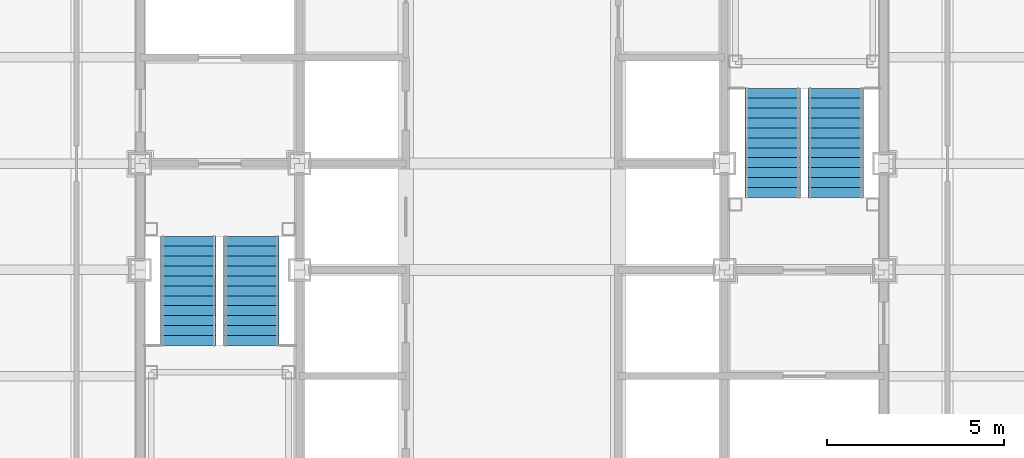
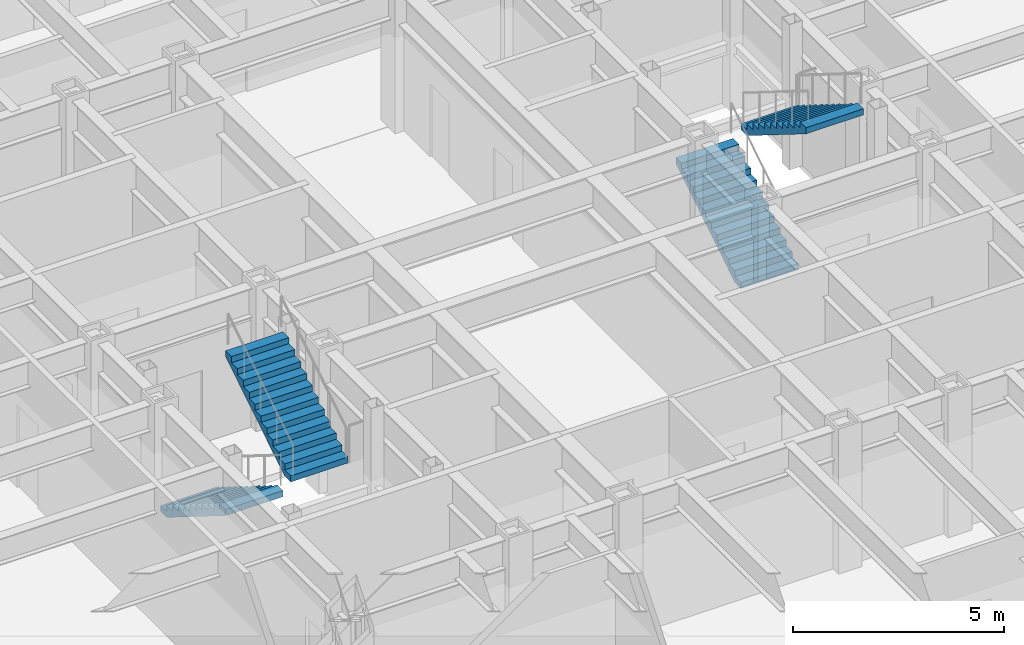
# One storey, part 13 of 17: 4 stair flights, 2 elements without a shape of their own.
"""IFC4 building model written with IfcOpenShell, lengths in metres."""

import ifcopenshell
import ifcopenshell.guid

model = None  # the IFC model being written
_history = None  # IfcOwnerHistory: only IFC2X3 demands one
_inside = {}  # id of a spatial element -> (the spatial element, [elements in it])
_under = {}  # id of a project, library or spatial element -> (it, [spatial elements below it])
_declared = {}  # id of a project -> (the project, [libraries it declares])
_typed = {}  # id of a type object -> (the type object, [elements of that type])
_made_of = {}  # id of a material, layer set ... -> (it, [elements and type objects made of it])


def new_model(schema):
    """Start an empty IFC model of exactly this schema.

    Asked for "IFC4X3", IfcOpenShell would pick the latest addendum, in which some entities
    have other attributes; the version numbers below select the first issue.
    IFC2X3 requires an IfcOwnerHistory on every rooted entity: one is made here for all.
    """
    global model, _history
    if schema == "IFC4X3":
        model = ifcopenshell.file(schema_version=(4, 3, 0, 0))
    else:
        model = ifcopenshell.file(schema=schema)
    _inside.clear()
    _under.clear()
    _declared.clear()
    _typed.clear()
    _made_of.clear()
    _history = None
    if model.schema == "IFC2X3":
        org = make("IfcOrganization", Name="unknown")
        user = make(
            "IfcPersonAndOrganization",
            ThePerson=make("IfcPerson", FamilyName="unknown"),
            TheOrganization=org,
        )
        app = make(
            "IfcApplication",
            ApplicationDeveloper=org,
            Version="unknown",
            ApplicationFullName="unknown",
            ApplicationIdentifier="unknown",
        )
        _history = make(
            "IfcOwnerHistory",
            OwningUser=user,
            OwningApplication=app,
            ChangeAction="ADDED",
            CreationDate=0,
        )
    return model


def make(cls, **values):
    """One entity of the class cls with the attributes given. An attribute that is None is left unset."""
    return model.create_entity(
        cls, **{name: value for name, value in values.items() if value is not None}
    )


def rooted(cls, **values):
    """An entity with a GlobalId (a new one), such as an element, a storey or a relation."""
    return make(cls, GlobalId=ifcopenshell.guid.new(), OwnerHistory=_history, **values)


def si_unit(unit_type, name, prefix=None):
    """IfcSIUnit, for example si_unit("LENGTHUNIT", "METRE", prefix="MILLI")."""
    return make("IfcSIUnit", UnitType=unit_type, Prefix=prefix, Name=name)


def assignment(units):
    """IfcUnitAssignment: the units of a project."""
    return None if units is None else make("IfcUnitAssignment", Units=units)


def point(xyz):
    """IfcCartesianPoint."""
    return None if xyz is None else make("IfcCartesianPoint", Coordinates=xyz)


def direction(xyz):
    """IfcDirection."""
    return None if xyz is None else make("IfcDirection", DirectionRatios=xyz)


def frame(location, z_axis=None, x_axis=None):
    """IfcAxis2Placement3D, a coordinate frame: its origin and axes. An axis left out is left unset."""
    return make(
        "IfcAxis2Placement3D",
        Location=point(location),
        Axis=direction(z_axis),
        RefDirection=direction(x_axis),
    )


def origin():
    """The frame at (0, 0, 0) with its axes left unset."""
    return frame((0.0, 0.0, 0.0))


def place(relative_to, where):
    """IfcLocalPlacement: puts the frame where relative to a parent placement (None: the world)."""
    return make(
        "IfcLocalPlacement", PlacementRelTo=relative_to, RelativePlacement=where
    )


def context(
    kind, dimensions, precision=None, world=None, true_north=None, identifier=None
):
    """IfcGeometricRepresentationContext, for example the 3D "Model" context."""
    return make(
        "IfcGeometricRepresentationContext",
        ContextIdentifier=identifier,
        ContextType=kind,
        CoordinateSpaceDimension=dimensions,
        Precision=precision,
        WorldCoordinateSystem=world,
        TrueNorth=true_north,
    )


def subcontext(parent, identifier, kind, view, scale=None):
    """IfcGeometricRepresentationSubContext, for example "Body" below "Model"."""
    return make(
        "IfcGeometricRepresentationSubContext",
        ContextIdentifier=identifier,
        ContextType=kind,
        ParentContext=parent,
        TargetScale=scale,
        TargetView=view,
    )


def project(units=None, contexts=None):
    """IfcProject with its units and contexts."""
    return rooted(
        "IfcProject",
        Name="project",
        RepresentationContexts=contexts,
        UnitsInContext=assignment(units),
    )


def spatial(cls, under=None, at=None, **own):
    """A site, building, storey or space (cls), placed at a placement, below another one or the project."""
    s = rooted(cls, ObjectPlacement=at, **own)
    if under is not None:
        _under.setdefault(under.id(), (under, []))[1].append(s)
    return s


def faces_of(points, faces, orient=None, outer=None):
    """IfcFace entities. A face is a list of loops; a loop is a list of indices into points, from 0.

    orient and outer hold one flag for each loop. By default every Orientation is true, the
    first loop of a face is its IfcFaceOuterBound and the others are IfcFaceBound.
    """
    made = []
    for i, loops in enumerate(faces):
        bounds = []
        for j, loop in enumerate(loops):
            is_outer = j == 0 if outer is None else outer[i][j]
            bounds.append(
                make(
                    "IfcFaceOuterBound" if is_outer else "IfcFaceBound",
                    Bound=make("IfcPolyLoop", Polygon=[points[k] for k in loop]),
                    Orientation=True if orient is None else orient[i][j],
                )
            )
        made.append(make("IfcFace", Bounds=bounds))
    return made


def faceted_brep(points, faces, orient=None, outer=None, voids=None):
    """IfcFacetedBrep: a solid bounded by flat faces; with voids (closed shells), ...WithVoids."""
    shared = [point(p) for p in points]
    hull = make("IfcClosedShell", CfsFaces=faces_of(shared, faces, orient, outer))
    if voids is None:
        return make("IfcFacetedBrep", Outer=hull)
    return make(
        "IfcFacetedBrepWithVoids",
        Outer=hull,
        Voids=[
            make(cls, CfsFaces=faces_of(shared, fs, o, b)) for cls, fs, o, b in voids
        ],
    )


def shape(context_of_items, identifier, shape_type, items):
    """IfcShapeRepresentation: the items that make up one representation, for example the "Body"."""
    return make(
        "IfcShapeRepresentation",
        ContextOfItems=context_of_items,
        RepresentationIdentifier=identifier,
        RepresentationType=shape_type,
        Items=items,
    )


def material(Name=None, Category=None):
    """IfcMaterial."""
    return make("IfcMaterial", Name=Name, Category=Category)


def made_of(thing, what):
    """Note that an element or type object is made of a material, layer set ...; save() writes the relation."""
    if what is not None:
        _made_of.setdefault(what.id(), (what, []))[1].append(thing)
    return thing


def type_object(cls, material=None, **own):
    """A type object (cls), such as IfcWallType, which elements share."""
    return made_of(rooted(cls, **own), material)


def element(
    cls,
    number,
    at=None,
    inside=None,
    cuts=None,
    type_object=None,
    material=None,
    context=None,
    identifier="Body",
    shape_type=None,
    held_by="IfcProductDefinitionShape",
    body=None,
    shapes=None,
    **own,
):
    """One element of the class cls, such as IfcWall. Its Tag is "e" and its number.

    at: its placement. inside: the storey or other place that contains it. cuts: it is an
    opening in that element (IfcRelVoidsElement). A single representation is given by context,
    identifier, shape_type and body (its items); several are given by shapes. held_by: the class
    of the entity that holds the representations. save() writes the other relations.
    """
    e = rooted(cls, Tag="e%d" % number, ObjectPlacement=at, **own)
    if body is not None:
        shapes = [shape(context, identifier, shape_type, body)]
    if shapes is not None:
        e.Representation = make(held_by, Representations=shapes)
    if inside is not None:
        _inside.setdefault(inside.id(), (inside, []))[1].append(e)
    if cuts is not None:
        rooted(
            "IfcRelVoidsElement", RelatingBuildingElement=cuts, RelatedOpeningElement=e
        )
    if type_object is not None:
        _typed.setdefault(type_object.id(), (type_object, []))[1].append(e)
    return made_of(e, material)


def aggregate(whole, parts):
    """IfcRelAggregates: a whole, such as a stair, and the parts it consists of."""
    return rooted("IfcRelAggregates", RelatingObject=whole, RelatedObjects=parts)


def save(model, path):
    """Write the relations noted so far, then the file.

    IfcRelAggregates (storeys below a building ...), IfcRelContainedInSpatialStructure (elements
    in a storey), IfcRelDefinesByType, IfcRelAssociatesMaterial and IfcRelDeclares: one each for
    every whole, place, type object, material and project.
    """
    for whole, parts in _under.values():
        aggregate(whole, parts)
    for where, things in _inside.values():
        rooted(
            "IfcRelContainedInSpatialStructure",
            RelatedElements=things,
            RelatingStructure=where,
        )
    for kind, things in _typed.values():
        rooted("IfcRelDefinesByType", RelatedObjects=things, RelatingType=kind)
    for what, things in _made_of.values():
        rooted("IfcRelAssociatesMaterial", RelatedObjects=things, RelatingMaterial=what)
    for by, libraries in _declared.values():
        rooted("IfcRelDeclares", RelatingContext=by, RelatedDefinitions=libraries)
    model.write(path)


model = new_model("IFC4")

# Units and contexts
model_context = context("Model", 3, precision=1e-05, world=origin(), true_north=direction((0.0, 1.0)))
body_context = subcontext(model_context, "Body", "Model", "MODEL_VIEW")
ifc_project = project(units=[si_unit("LENGTHUNIT", "METRE"), si_unit("AREAUNIT", "SQUARE_METRE"), si_unit("VOLUMEUNIT", "CUBIC_METRE"), si_unit("PLANEANGLEUNIT", "RADIAN"), si_unit("MASSUNIT", "GRAM", prefix="KILO")], contexts=[model_context])

# Site, building, storey
site_placement = place(None, origin())
site = spatial("IfcSite", under=ifc_project, at=site_placement, CompositionType="ELEMENT")
building_placement = place(site_placement, origin())
building = spatial("IfcBuilding", under=site, at=building_placement, Name="Chuquiago Exchange Tower", CompositionType="ELEMENT")
storey_placement = place(building_placement, frame((0.0, 0.0, 169.800048828125)))
storey = spatial("IfcBuildingStorey", under=building, at=storey_placement, Name="L37", CompositionType="ELEMENT", Elevation=169.800048828125)

# Stair, stair flights
ifc_material_1 = material(Name="Concrete C30/37, precast", Category="concrete")
stair_type_1 = type_object("IfcStairType", Name="ST1 half-turn stair 4200", PredefinedType="HALF_TURN_STAIR", material=ifc_material_1)
stair_1_placement = place(storey_placement, origin())
stair_1 = element("IfcStair", 1, at=stair_1_placement, inside=storey, type_object=stair_type_1, Name="Stair ST1 L37", PredefinedType="HALF_TURN_STAIR")
ifc_material_2 = material(Name="Concrete C30/37, precast", Category="concrete")
stair_flight_type = type_object("IfcStairFlightType", Name="ST-F flight 1570 for 4200 storey", PredefinedType="STRAIGHT", material=ifc_material_2)
stair_flight_1_placement = place(storey_placement, frame((13.360107421875, 21.949951171875, 0.0), z_axis=(0.0, 0.0, 1.0), x_axis=(0.0, -1.0, 0.0)))
stair_flight_1 = element("IfcStairFlight", 2, at=stair_flight_1_placement, type_object=stair_flight_type, Name="ST1 flight 1", NumberOfRisers=12, NumberOfTreads=11, PredefinedType="STRAIGHT", RiserHeight=0.175, TreadLength=0.28, context=body_context, shape_type="Brep", body=[
    faceted_brep([(0.0, 0.78515625, 0.0), (0.0, 0.78515625, 0.175048828125), (0.280029296875, 0.78515625, 0.175048828125), (0.280029296875, 0.78515625, 0.35009765625), (0.56005859375, 0.78515625, 0.35009765625), (0.56005859375, 0.78515625, 0.52490234375), (0.840087890625, 0.78515625, 0.52490234375), (0.840087890625, 0.78515625, 0.699951171875), (1.1201171875, 0.78515625, 0.699951171875), (1.1201171875, 0.78515625, 0.875), (1.39990234375, 0.78515625, 0.875), (1.39990234375, 0.78515625, 1.050048828125), (1.679931640625, 0.78515625, 1.050048828125), (1.679931640625, 0.78515625, 1.22509765625), (1.9599609375, 0.78515625, 1.22509765625), (1.9599609375, 0.78515625, 1.39990234375), (2.239990234375, 0.78515625, 1.39990234375), (2.239990234375, 0.78515625, 1.574951171875), (2.52001953125, 0.78515625, 1.574951171875), (2.52001953125, 0.78515625, 1.75), (2.800048828125, 0.78515625, 1.75), (2.800048828125, 0.78515625, 1.925048828125), (3.080078125, 0.78515625, 1.925048828125), (3.080078125, 0.78515625, 1.748291015625), (0.28271484375, 0.78515625, 0.0), (0.28271484375, -0.78515625, 0.0), (3.080078125, -0.78515625, 1.748291015625), (3.080078125, -0.78515625, 1.925048828125), (2.800048828125, -0.78515625, 1.925048828125), (2.800048828125, -0.78515625, 1.75), (2.52001953125, -0.78515625, 1.75), (2.52001953125, -0.78515625, 1.574951171875), (2.239990234375, -0.78515625, 1.574951171875), (2.239990234375, -0.78515625, 1.39990234375), (1.9599609375, -0.78515625, 1.39990234375), (1.9599609375, -0.78515625, 1.22509765625), (1.679931640625, -0.78515625, 1.22509765625), (1.679931640625, -0.78515625, 1.050048828125), (1.39990234375, -0.78515625, 1.050048828125), (1.39990234375, -0.78515625, 0.875), (1.1201171875, -0.78515625, 0.875), (1.1201171875, -0.78515625, 0.699951171875), (0.840087890625, -0.78515625, 0.699951171875), (0.840087890625, -0.78515625, 0.52490234375), (0.56005859375, -0.78515625, 0.52490234375), (0.56005859375, -0.78515625, 0.35009765625), (0.280029296875, -0.78515625, 0.35009765625), (0.280029296875, -0.78515625, 0.175048828125), (0.0, -0.78515625, 0.175048828125), (0.0, -0.78515625, 0.0), (0.0, 0.392578125, 0.0), (0.0, 0.392578125, 0.175048828125), (0.0, 0.0, 0.0), (0.0, 0.0, 0.175048828125), (0.0, -0.392578125, 0.0), (0.0, -0.392578125, 0.175048828125), (0.280029296875, 0.392578125, 0.175048828125), (0.280029296875, 0.0, 0.175048828125), (0.280029296875, -0.392578125, 0.175048828125), (0.280029296875, 0.392578125, 0.35009765625), (0.280029296875, 0.0, 0.35009765625), (0.280029296875, -0.392578125, 0.35009765625), (0.56005859375, 0.392578125, 0.35009765625), (0.56005859375, 0.0, 0.35009765625), (0.56005859375, -0.392578125, 0.35009765625), (0.56005859375, 0.392578125, 0.52490234375), (0.56005859375, 0.0, 0.52490234375), (0.56005859375, -0.392578125, 0.52490234375), (0.840087890625, 0.392578125, 0.52490234375), (0.840087890625, 0.0, 0.52490234375), (0.840087890625, -0.392578125, 0.52490234375), (0.840087890625, 0.392578125, 0.699951171875), (0.840087890625, 0.0, 0.699951171875), (0.840087890625, -0.392578125, 0.699951171875), (1.1201171875, 0.392578125, 0.699951171875), (1.1201171875, 0.0, 0.699951171875), (1.1201171875, -0.392578125, 0.699951171875), (1.1201171875, 0.392578125, 0.875), (1.1201171875, 0.0, 0.875), (1.1201171875, -0.392578125, 0.875), (1.39990234375, 0.392578125, 0.875), (1.39990234375, 0.0, 0.875), (1.39990234375, -0.392578125, 0.875), (1.39990234375, 0.392578125, 1.050048828125), (1.39990234375, 0.0, 1.050048828125), (1.39990234375, -0.392578125, 1.050048828125), (1.679931640625, 0.392578125, 1.050048828125), (1.679931640625, 0.0, 1.050048828125), (1.679931640625, -0.392578125, 1.050048828125), (1.679931640625, 0.392578125, 1.22509765625), (1.679931640625, 0.0, 1.22509765625), (1.679931640625, -0.392578125, 1.22509765625), (1.9599609375, 0.392578125, 1.22509765625), (1.9599609375, 0.0, 1.22509765625), (1.9599609375, -0.392578125, 1.22509765625), (1.9599609375, 0.392578125, 1.39990234375), (1.9599609375, 0.0, 1.39990234375), (1.9599609375, -0.392578125, 1.39990234375), (2.239990234375, 0.392578125, 1.39990234375), (2.239990234375, 0.0, 1.39990234375), (2.239990234375, -0.392578125, 1.39990234375), (2.239990234375, 0.392578125, 1.574951171875), (2.239990234375, 0.0, 1.574951171875), (2.239990234375, -0.392578125, 1.574951171875), (2.52001953125, 0.392578125, 1.574951171875), (2.52001953125, 0.0, 1.574951171875), (2.52001953125, -0.392578125, 1.574951171875), (2.52001953125, 0.392578125, 1.75), (2.52001953125, 0.0, 1.75), (2.52001953125, -0.392578125, 1.75), (2.800048828125, 0.392578125, 1.75), (2.800048828125, 0.0, 1.75), (2.800048828125, -0.392578125, 1.75), (2.800048828125, 0.392578125, 1.925048828125), (2.800048828125, 0.0, 1.925048828125), (2.800048828125, -0.392578125, 1.925048828125), (3.080078125, 0.392578125, 1.925048828125), (3.080078125, 0.0, 1.925048828125), (3.080078125, -0.392578125, 1.925048828125), (3.080078125, 0.392578125, 1.748291015625), (3.080078125, 0.0, 1.748291015625), (3.080078125, -0.392578125, 1.748291015625), (0.28271484375, 0.392578125, 0.0), (0.28271484375, 0.0, 0.0), (0.28271484375, -0.392578125, 0.0)], [[[0, 1, 2, 3, 4, 5, 6, 7, 8, 9, 10, 11, 12, 13, 14, 15, 16, 17, 18, 19, 20, 21, 22, 23, 24]], [[25, 26, 27, 28, 29, 30, 31, 32, 33, 34, 35, 36, 37, 38, 39, 40, 41, 42, 43, 44, 45, 46, 47, 48, 49]], [[1, 0, 50, 51]], [[51, 50, 52, 53]], [[53, 52, 54, 55]], [[55, 54, 49, 48]], [[2, 1, 51, 56]], [[56, 51, 53, 57]], [[57, 53, 55, 58]], [[58, 55, 48, 47]], [[3, 2, 56, 59]], [[59, 56, 57, 60]], [[60, 57, 58, 61]], [[61, 58, 47, 46]], [[4, 3, 59, 62]], [[62, 59, 60, 63]], [[63, 60, 61, 64]], [[64, 61, 46, 45]], [[5, 4, 62, 65]], [[65, 62, 63, 66]], [[66, 63, 64, 67]], [[67, 64, 45, 44]], [[6, 5, 65, 68]], [[68, 65, 66, 69]], [[69, 66, 67, 70]], [[70, 67, 44, 43]], [[7, 6, 68, 71]], [[71, 68, 69, 72]], [[72, 69, 70, 73]], [[73, 70, 43, 42]], [[8, 7, 71, 74]], [[74, 71, 72, 75]], [[75, 72, 73, 76]], [[76, 73, 42, 41]], [[9, 8, 74, 77]], [[77, 74, 75, 78]], [[78, 75, 76, 79]], [[79, 76, 41, 40]], [[10, 9, 77, 80]], [[80, 77, 78, 81]], [[81, 78, 79, 82]], [[82, 79, 40, 39]], [[11, 10, 80, 83]], [[83, 80, 81, 84]], [[84, 81, 82, 85]], [[85, 82, 39, 38]], [[12, 11, 83, 86]], [[86, 83, 84, 87]], [[87, 84, 85, 88]], [[88, 85, 38, 37]], [[13, 12, 86, 89]], [[89, 86, 87, 90]], [[90, 87, 88, 91]], [[91, 88, 37, 36]], [[14, 13, 89, 92]], [[92, 89, 90, 93]], [[93, 90, 91, 94]], [[94, 91, 36, 35]], [[15, 14, 92, 95]], [[95, 92, 93, 96]], [[96, 93, 94, 97]], [[97, 94, 35, 34]], [[16, 15, 95, 98]], [[98, 95, 96, 99]], [[99, 96, 97, 100]], [[100, 97, 34, 33]], [[17, 16, 98, 101]], [[101, 98, 99, 102]], [[102, 99, 100, 103]], [[103, 100, 33, 32]], [[18, 17, 101, 104]], [[104, 101, 102, 105]], [[105, 102, 103, 106]], [[106, 103, 32, 31]], [[19, 18, 104, 107]], [[107, 104, 105, 108]], [[108, 105, 106, 109]], [[109, 106, 31, 30]], [[20, 19, 107, 110]], [[110, 107, 108, 111]], [[111, 108, 109, 112]], [[112, 109, 30, 29]], [[21, 20, 110, 113]], [[113, 110, 111, 114]], [[114, 111, 112, 115]], [[115, 112, 29, 28]], [[22, 21, 113, 116]], [[116, 113, 114, 117]], [[117, 114, 115, 118]], [[118, 115, 28, 27]], [[23, 22, 116, 119]], [[119, 116, 117, 120]], [[120, 117, 118, 121]], [[121, 118, 27, 26]], [[24, 23, 119, 122]], [[122, 119, 120, 123]], [[123, 120, 121, 124]], [[124, 121, 26, 25]], [[0, 24, 122, 50]], [[50, 122, 123, 52]], [[52, 123, 124, 54]], [[54, 124, 25, 49]]]),
])
stair_flight_2_placement = place(storey_placement, frame((15.139892578125, 18.8701171875, 2.099853515625), z_axis=(0.0, 0.0, 1.0), x_axis=(0.0, 1.0, 0.0)))
stair_flight_2 = element("IfcStairFlight", 3, at=stair_flight_2_placement, type_object=stair_flight_type, Name="ST1 flight 2", NumberOfRisers=12, NumberOfTreads=11, PredefinedType="STRAIGHT", RiserHeight=0.175, TreadLength=0.28, context=body_context, shape_type="Brep", body=[
    faceted_brep([(0.0, 0.78515625, 0.0), (0.0, 0.78515625, 0.175048828125), (0.280029296875, 0.78515625, 0.175048828125), (0.280029296875, 0.78515625, 0.35009765625), (0.56005859375, 0.78515625, 0.35009765625), (0.56005859375, 0.78515625, 0.52490234375), (0.840087890625, 0.78515625, 0.52490234375), (0.840087890625, 0.78515625, 0.699951171875), (1.1201171875, 0.78515625, 0.699951171875), (1.1201171875, 0.78515625, 0.875), (1.39990234375, 0.78515625, 0.875), (1.39990234375, 0.78515625, 1.050048828125), (1.679931640625, 0.78515625, 1.050048828125), (1.679931640625, 0.78515625, 1.22509765625), (1.9599609375, 0.78515625, 1.22509765625), (1.9599609375, 0.78515625, 1.39990234375), (2.239990234375, 0.78515625, 1.39990234375), (2.239990234375, 0.78515625, 1.574951171875), (2.52001953125, 0.78515625, 1.574951171875), (2.52001953125, 0.78515625, 1.75), (2.800048828125, 0.78515625, 1.75), (2.800048828125, 0.78515625, 1.925048828125), (3.080078125, 0.78515625, 1.925048828125), (3.080078125, 0.78515625, 1.748291015625), (0.28271484375, 0.78515625, 0.0), (0.28271484375, -0.78515625, 0.0), (3.080078125, -0.78515625, 1.748291015625), (3.080078125, -0.78515625, 1.925048828125), (2.800048828125, -0.78515625, 1.925048828125), (2.800048828125, -0.78515625, 1.75), (2.52001953125, -0.78515625, 1.75), (2.52001953125, -0.78515625, 1.574951171875), (2.239990234375, -0.78515625, 1.574951171875), (2.239990234375, -0.78515625, 1.39990234375), (1.9599609375, -0.78515625, 1.39990234375), (1.9599609375, -0.78515625, 1.22509765625), (1.679931640625, -0.78515625, 1.22509765625), (1.679931640625, -0.78515625, 1.050048828125), (1.39990234375, -0.78515625, 1.050048828125), (1.39990234375, -0.78515625, 0.875), (1.1201171875, -0.78515625, 0.875), (1.1201171875, -0.78515625, 0.699951171875), (0.840087890625, -0.78515625, 0.699951171875), (0.840087890625, -0.78515625, 0.52490234375), (0.56005859375, -0.78515625, 0.52490234375), (0.56005859375, -0.78515625, 0.35009765625), (0.280029296875, -0.78515625, 0.35009765625), (0.280029296875, -0.78515625, 0.175048828125), (0.0, -0.78515625, 0.175048828125), (0.0, -0.78515625, 0.0), (0.0, 0.392578125, 0.0), (0.0, 0.392578125, 0.175048828125), (0.0, 0.0, 0.0), (0.0, 0.0, 0.175048828125), (0.0, -0.392578125, 0.0), (0.0, -0.392578125, 0.175048828125), (0.280029296875, 0.392578125, 0.175048828125), (0.280029296875, 0.0, 0.175048828125), (0.280029296875, -0.392578125, 0.175048828125), (0.280029296875, 0.392578125, 0.35009765625), (0.280029296875, 0.0, 0.35009765625), (0.280029296875, -0.392578125, 0.35009765625), (0.56005859375, 0.392578125, 0.35009765625), (0.56005859375, 0.0, 0.35009765625), (0.56005859375, -0.392578125, 0.35009765625), (0.56005859375, 0.392578125, 0.52490234375), (0.56005859375, 0.0, 0.52490234375), (0.56005859375, -0.392578125, 0.52490234375), (0.840087890625, 0.392578125, 0.52490234375), (0.840087890625, 0.0, 0.52490234375), (0.840087890625, -0.392578125, 0.52490234375), (0.840087890625, 0.392578125, 0.699951171875), (0.840087890625, 0.0, 0.699951171875), (0.840087890625, -0.392578125, 0.699951171875), (1.1201171875, 0.392578125, 0.699951171875), (1.1201171875, 0.0, 0.699951171875), (1.1201171875, -0.392578125, 0.699951171875), (1.1201171875, 0.392578125, 0.875), (1.1201171875, 0.0, 0.875), (1.1201171875, -0.392578125, 0.875), (1.39990234375, 0.392578125, 0.875), (1.39990234375, 0.0, 0.875), (1.39990234375, -0.392578125, 0.875), (1.39990234375, 0.392578125, 1.050048828125), (1.39990234375, 0.0, 1.050048828125), (1.39990234375, -0.392578125, 1.050048828125), (1.679931640625, 0.392578125, 1.050048828125), (1.679931640625, 0.0, 1.050048828125), (1.679931640625, -0.392578125, 1.050048828125), (1.679931640625, 0.392578125, 1.22509765625), (1.679931640625, 0.0, 1.22509765625), (1.679931640625, -0.392578125, 1.22509765625), (1.9599609375, 0.392578125, 1.22509765625), (1.9599609375, 0.0, 1.22509765625), (1.9599609375, -0.392578125, 1.22509765625), (1.9599609375, 0.392578125, 1.39990234375), (1.9599609375, 0.0, 1.39990234375), (1.9599609375, -0.392578125, 1.39990234375), (2.239990234375, 0.392578125, 1.39990234375), (2.239990234375, 0.0, 1.39990234375), (2.239990234375, -0.392578125, 1.39990234375), (2.239990234375, 0.392578125, 1.574951171875), (2.239990234375, 0.0, 1.574951171875), (2.239990234375, -0.392578125, 1.574951171875), (2.52001953125, 0.392578125, 1.574951171875), (2.52001953125, 0.0, 1.574951171875), (2.52001953125, -0.392578125, 1.574951171875), (2.52001953125, 0.392578125, 1.75), (2.52001953125, 0.0, 1.75), (2.52001953125, -0.392578125, 1.75), (2.800048828125, 0.392578125, 1.75), (2.800048828125, 0.0, 1.75), (2.800048828125, -0.392578125, 1.75), (2.800048828125, 0.392578125, 1.925048828125), (2.800048828125, 0.0, 1.925048828125), (2.800048828125, -0.392578125, 1.925048828125), (3.080078125, 0.392578125, 1.925048828125), (3.080078125, 0.0, 1.925048828125), (3.080078125, -0.392578125, 1.925048828125), (3.080078125, 0.392578125, 1.748291015625), (3.080078125, 0.0, 1.748291015625), (3.080078125, -0.392578125, 1.748291015625), (0.28271484375, 0.392578125, 0.0), (0.28271484375, 0.0, 0.0), (0.28271484375, -0.392578125, 0.0)], [[[0, 1, 2, 3, 4, 5, 6, 7, 8, 9, 10, 11, 12, 13, 14, 15, 16, 17, 18, 19, 20, 21, 22, 23, 24]], [[25, 26, 27, 28, 29, 30, 31, 32, 33, 34, 35, 36, 37, 38, 39, 40, 41, 42, 43, 44, 45, 46, 47, 48, 49]], [[1, 0, 50, 51]], [[51, 50, 52, 53]], [[53, 52, 54, 55]], [[55, 54, 49, 48]], [[2, 1, 51, 56]], [[56, 51, 53, 57]], [[57, 53, 55, 58]], [[58, 55, 48, 47]], [[3, 2, 56, 59]], [[59, 56, 57, 60]], [[60, 57, 58, 61]], [[61, 58, 47, 46]], [[4, 3, 59, 62]], [[62, 59, 60, 63]], [[63, 60, 61, 64]], [[64, 61, 46, 45]], [[5, 4, 62, 65]], [[65, 62, 63, 66]], [[66, 63, 64, 67]], [[67, 64, 45, 44]], [[6, 5, 65, 68]], [[68, 65, 66, 69]], [[69, 66, 67, 70]], [[70, 67, 44, 43]], [[7, 6, 68, 71]], [[71, 68, 69, 72]], [[72, 69, 70, 73]], [[73, 70, 43, 42]], [[8, 7, 71, 74]], [[74, 71, 72, 75]], [[75, 72, 73, 76]], [[76, 73, 42, 41]], [[9, 8, 74, 77]], [[77, 74, 75, 78]], [[78, 75, 76, 79]], [[79, 76, 41, 40]], [[10, 9, 77, 80]], [[80, 77, 78, 81]], [[81, 78, 79, 82]], [[82, 79, 40, 39]], [[11, 10, 80, 83]], [[83, 80, 81, 84]], [[84, 81, 82, 85]], [[85, 82, 39, 38]], [[12, 11, 83, 86]], [[86, 83, 84, 87]], [[87, 84, 85, 88]], [[88, 85, 38, 37]], [[13, 12, 86, 89]], [[89, 86, 87, 90]], [[90, 87, 88, 91]], [[91, 88, 37, 36]], [[14, 13, 89, 92]], [[92, 89, 90, 93]], [[93, 90, 91, 94]], [[94, 91, 36, 35]], [[15, 14, 92, 95]], [[95, 92, 93, 96]], [[96, 93, 94, 97]], [[97, 94, 35, 34]], [[16, 15, 95, 98]], [[98, 95, 96, 99]], [[99, 96, 97, 100]], [[100, 97, 34, 33]], [[17, 16, 98, 101]], [[101, 98, 99, 102]], [[102, 99, 100, 103]], [[103, 100, 33, 32]], [[18, 17, 101, 104]], [[104, 101, 102, 105]], [[105, 102, 103, 106]], [[106, 103, 32, 31]], [[19, 18, 104, 107]], [[107, 104, 105, 108]], [[108, 105, 106, 109]], [[109, 106, 31, 30]], [[20, 19, 107, 110]], [[110, 107, 108, 111]], [[111, 108, 109, 112]], [[112, 109, 30, 29]], [[21, 20, 110, 113]], [[113, 110, 111, 114]], [[114, 111, 112, 115]], [[115, 112, 29, 28]], [[22, 21, 113, 116]], [[116, 113, 114, 117]], [[117, 114, 115, 118]], [[118, 115, 28, 27]], [[23, 22, 116, 119]], [[119, 116, 117, 120]], [[120, 117, 118, 121]], [[121, 118, 27, 26]], [[24, 23, 119, 122]], [[122, 119, 120, 123]], [[123, 120, 121, 124]], [[124, 121, 26, 25]], [[0, 24, 122, 50]], [[50, 122, 123, 52]], [[52, 123, 124, 54]], [[54, 124, 25, 49]]]),
])
aggregate(stair_1, [stair_flight_1, stair_flight_2])

ifc_material_3 = material(Name="Concrete C30/37, precast", Category="concrete")
stair_type_2 = type_object("IfcStairType", Name="ST2 half-turn stair 4200", PredefinedType="HALF_TURN_STAIR", material=ifc_material_3)
stair_2_placement = place(storey_placement, origin())
stair_2 = element("IfcStair", 4, at=stair_2_placement, inside=storey, type_object=stair_type_2, Name="Stair ST2 L37", PredefinedType="HALF_TURN_STAIR")
stair_flight_3_placement = place(storey_placement, frame((29.860107421875, 23.050048828125, 0.0), z_axis=(0.0, 0.0, 1.0), x_axis=(0.0, 1.0, 0.0)))
stair_flight_3 = element("IfcStairFlight", 5, at=stair_flight_3_placement, type_object=stair_flight_type, Name="ST2 flight 1", NumberOfRisers=12, NumberOfTreads=11, PredefinedType="STRAIGHT", RiserHeight=0.175, TreadLength=0.28, context=body_context, shape_type="Brep", body=[
    faceted_brep([(0.0, 0.78515625, 0.0), (0.0, 0.78515625, 0.175048828125), (0.280029296875, 0.78515625, 0.175048828125), (0.280029296875, 0.78515625, 0.35009765625), (0.56005859375, 0.78515625, 0.35009765625), (0.56005859375, 0.78515625, 0.52490234375), (0.840087890625, 0.78515625, 0.52490234375), (0.840087890625, 0.78515625, 0.699951171875), (1.1201171875, 0.78515625, 0.699951171875), (1.1201171875, 0.78515625, 0.875), (1.39990234375, 0.78515625, 0.875), (1.39990234375, 0.78515625, 1.050048828125), (1.679931640625, 0.78515625, 1.050048828125), (1.679931640625, 0.78515625, 1.22509765625), (1.9599609375, 0.78515625, 1.22509765625), (1.9599609375, 0.78515625, 1.39990234375), (2.239990234375, 0.78515625, 1.39990234375), (2.239990234375, 0.78515625, 1.574951171875), (2.52001953125, 0.78515625, 1.574951171875), (2.52001953125, 0.78515625, 1.75), (2.800048828125, 0.78515625, 1.75), (2.800048828125, 0.78515625, 1.925048828125), (3.080078125, 0.78515625, 1.925048828125), (3.080078125, 0.78515625, 1.748291015625), (0.28271484375, 0.78515625, 0.0), (0.28271484375, -0.78515625, 0.0), (3.080078125, -0.78515625, 1.748291015625), (3.080078125, -0.78515625, 1.925048828125), (2.800048828125, -0.78515625, 1.925048828125), (2.800048828125, -0.78515625, 1.75), (2.52001953125, -0.78515625, 1.75), (2.52001953125, -0.78515625, 1.574951171875), (2.239990234375, -0.78515625, 1.574951171875), (2.239990234375, -0.78515625, 1.39990234375), (1.9599609375, -0.78515625, 1.39990234375), (1.9599609375, -0.78515625, 1.22509765625), (1.679931640625, -0.78515625, 1.22509765625), (1.679931640625, -0.78515625, 1.050048828125), (1.39990234375, -0.78515625, 1.050048828125), (1.39990234375, -0.78515625, 0.875), (1.1201171875, -0.78515625, 0.875), (1.1201171875, -0.78515625, 0.699951171875), (0.840087890625, -0.78515625, 0.699951171875), (0.840087890625, -0.78515625, 0.52490234375), (0.56005859375, -0.78515625, 0.52490234375), (0.56005859375, -0.78515625, 0.35009765625), (0.280029296875, -0.78515625, 0.35009765625), (0.280029296875, -0.78515625, 0.175048828125), (0.0, -0.78515625, 0.175048828125), (0.0, -0.78515625, 0.0), (0.0, 0.392578125, 0.0), (0.0, 0.392578125, 0.175048828125), (0.0, 0.0, 0.0), (0.0, 0.0, 0.175048828125), (0.0, -0.392578125, 0.0), (0.0, -0.392578125, 0.175048828125), (0.280029296875, 0.392578125, 0.175048828125), (0.280029296875, 0.0, 0.175048828125), (0.280029296875, -0.392578125, 0.175048828125), (0.280029296875, 0.392578125, 0.35009765625), (0.280029296875, 0.0, 0.35009765625), (0.280029296875, -0.392578125, 0.35009765625), (0.56005859375, 0.392578125, 0.35009765625), (0.56005859375, 0.0, 0.35009765625), (0.56005859375, -0.392578125, 0.35009765625), (0.56005859375, 0.392578125, 0.52490234375), (0.56005859375, 0.0, 0.52490234375), (0.56005859375, -0.392578125, 0.52490234375), (0.840087890625, 0.392578125, 0.52490234375), (0.840087890625, 0.0, 0.52490234375), (0.840087890625, -0.392578125, 0.52490234375), (0.840087890625, 0.392578125, 0.699951171875), (0.840087890625, 0.0, 0.699951171875), (0.840087890625, -0.392578125, 0.699951171875), (1.1201171875, 0.392578125, 0.699951171875), (1.1201171875, 0.0, 0.699951171875), (1.1201171875, -0.392578125, 0.699951171875), (1.1201171875, 0.392578125, 0.875), (1.1201171875, 0.0, 0.875), (1.1201171875, -0.392578125, 0.875), (1.39990234375, 0.392578125, 0.875), (1.39990234375, 0.0, 0.875), (1.39990234375, -0.392578125, 0.875), (1.39990234375, 0.392578125, 1.050048828125), (1.39990234375, 0.0, 1.050048828125), (1.39990234375, -0.392578125, 1.050048828125), (1.679931640625, 0.392578125, 1.050048828125), (1.679931640625, 0.0, 1.050048828125), (1.679931640625, -0.392578125, 1.050048828125), (1.679931640625, 0.392578125, 1.22509765625), (1.679931640625, 0.0, 1.22509765625), (1.679931640625, -0.392578125, 1.22509765625), (1.9599609375, 0.392578125, 1.22509765625), (1.9599609375, 0.0, 1.22509765625), (1.9599609375, -0.392578125, 1.22509765625), (1.9599609375, 0.392578125, 1.39990234375), (1.9599609375, 0.0, 1.39990234375), (1.9599609375, -0.392578125, 1.39990234375), (2.239990234375, 0.392578125, 1.39990234375), (2.239990234375, 0.0, 1.39990234375), (2.239990234375, -0.392578125, 1.39990234375), (2.239990234375, 0.392578125, 1.574951171875), (2.239990234375, 0.0, 1.574951171875), (2.239990234375, -0.392578125, 1.574951171875), (2.52001953125, 0.392578125, 1.574951171875), (2.52001953125, 0.0, 1.574951171875), (2.52001953125, -0.392578125, 1.574951171875), (2.52001953125, 0.392578125, 1.75), (2.52001953125, 0.0, 1.75), (2.52001953125, -0.392578125, 1.75), (2.800048828125, 0.392578125, 1.75), (2.800048828125, 0.0, 1.75), (2.800048828125, -0.392578125, 1.75), (2.800048828125, 0.392578125, 1.925048828125), (2.800048828125, 0.0, 1.925048828125), (2.800048828125, -0.392578125, 1.925048828125), (3.080078125, 0.392578125, 1.925048828125), (3.080078125, 0.0, 1.925048828125), (3.080078125, -0.392578125, 1.925048828125), (3.080078125, 0.392578125, 1.748291015625), (3.080078125, 0.0, 1.748291015625), (3.080078125, -0.392578125, 1.748291015625), (0.28271484375, 0.392578125, 0.0), (0.28271484375, 0.0, 0.0), (0.28271484375, -0.392578125, 0.0)], [[[0, 1, 2, 3, 4, 5, 6, 7, 8, 9, 10, 11, 12, 13, 14, 15, 16, 17, 18, 19, 20, 21, 22, 23, 24]], [[25, 26, 27, 28, 29, 30, 31, 32, 33, 34, 35, 36, 37, 38, 39, 40, 41, 42, 43, 44, 45, 46, 47, 48, 49]], [[1, 0, 50, 51]], [[51, 50, 52, 53]], [[53, 52, 54, 55]], [[55, 54, 49, 48]], [[2, 1, 51, 56]], [[56, 51, 53, 57]], [[57, 53, 55, 58]], [[58, 55, 48, 47]], [[3, 2, 56, 59]], [[59, 56, 57, 60]], [[60, 57, 58, 61]], [[61, 58, 47, 46]], [[4, 3, 59, 62]], [[62, 59, 60, 63]], [[63, 60, 61, 64]], [[64, 61, 46, 45]], [[5, 4, 62, 65]], [[65, 62, 63, 66]], [[66, 63, 64, 67]], [[67, 64, 45, 44]], [[6, 5, 65, 68]], [[68, 65, 66, 69]], [[69, 66, 67, 70]], [[70, 67, 44, 43]], [[7, 6, 68, 71]], [[71, 68, 69, 72]], [[72, 69, 70, 73]], [[73, 70, 43, 42]], [[8, 7, 71, 74]], [[74, 71, 72, 75]], [[75, 72, 73, 76]], [[76, 73, 42, 41]], [[9, 8, 74, 77]], [[77, 74, 75, 78]], [[78, 75, 76, 79]], [[79, 76, 41, 40]], [[10, 9, 77, 80]], [[80, 77, 78, 81]], [[81, 78, 79, 82]], [[82, 79, 40, 39]], [[11, 10, 80, 83]], [[83, 80, 81, 84]], [[84, 81, 82, 85]], [[85, 82, 39, 38]], [[12, 11, 83, 86]], [[86, 83, 84, 87]], [[87, 84, 85, 88]], [[88, 85, 38, 37]], [[13, 12, 86, 89]], [[89, 86, 87, 90]], [[90, 87, 88, 91]], [[91, 88, 37, 36]], [[14, 13, 89, 92]], [[92, 89, 90, 93]], [[93, 90, 91, 94]], [[94, 91, 36, 35]], [[15, 14, 92, 95]], [[95, 92, 93, 96]], [[96, 93, 94, 97]], [[97, 94, 35, 34]], [[16, 15, 95, 98]], [[98, 95, 96, 99]], [[99, 96, 97, 100]], [[100, 97, 34, 33]], [[17, 16, 98, 101]], [[101, 98, 99, 102]], [[102, 99, 100, 103]], [[103, 100, 33, 32]], [[18, 17, 101, 104]], [[104, 101, 102, 105]], [[105, 102, 103, 106]], [[106, 103, 32, 31]], [[19, 18, 104, 107]], [[107, 104, 105, 108]], [[108, 105, 106, 109]], [[109, 106, 31, 30]], [[20, 19, 107, 110]], [[110, 107, 108, 111]], [[111, 108, 109, 112]], [[112, 109, 30, 29]], [[21, 20, 110, 113]], [[113, 110, 111, 114]], [[114, 111, 112, 115]], [[115, 112, 29, 28]], [[22, 21, 113, 116]], [[116, 113, 114, 117]], [[117, 114, 115, 118]], [[118, 115, 28, 27]], [[23, 22, 116, 119]], [[119, 116, 117, 120]], [[120, 117, 118, 121]], [[121, 118, 27, 26]], [[24, 23, 119, 122]], [[122, 119, 120, 123]], [[123, 120, 121, 124]], [[124, 121, 26, 25]], [[0, 24, 122, 50]], [[50, 122, 123, 52]], [[52, 123, 124, 54]], [[54, 124, 25, 49]]]),
])
stair_flight_4_placement = place(storey_placement, frame((31.639892578125, 26.1298828125, 2.099853515625), z_axis=(0.0, 0.0, 1.0), x_axis=(0.0, -1.0, 0.0)))
stair_flight_4 = element("IfcStairFlight", 6, at=stair_flight_4_placement, type_object=stair_flight_type, Name="ST2 flight 2", NumberOfRisers=12, NumberOfTreads=11, PredefinedType="STRAIGHT", RiserHeight=0.175, TreadLength=0.28, context=body_context, shape_type="Brep", body=[
    faceted_brep([(0.0, 0.78515625, 0.0), (0.0, 0.78515625, 0.175048828125), (0.280029296875, 0.78515625, 0.175048828125), (0.280029296875, 0.78515625, 0.35009765625), (0.56005859375, 0.78515625, 0.35009765625), (0.56005859375, 0.78515625, 0.52490234375), (0.840087890625, 0.78515625, 0.52490234375), (0.840087890625, 0.78515625, 0.699951171875), (1.1201171875, 0.78515625, 0.699951171875), (1.1201171875, 0.78515625, 0.875), (1.39990234375, 0.78515625, 0.875), (1.39990234375, 0.78515625, 1.050048828125), (1.679931640625, 0.78515625, 1.050048828125), (1.679931640625, 0.78515625, 1.22509765625), (1.9599609375, 0.78515625, 1.22509765625), (1.9599609375, 0.78515625, 1.39990234375), (2.239990234375, 0.78515625, 1.39990234375), (2.239990234375, 0.78515625, 1.574951171875), (2.52001953125, 0.78515625, 1.574951171875), (2.52001953125, 0.78515625, 1.75), (2.800048828125, 0.78515625, 1.75), (2.800048828125, 0.78515625, 1.925048828125), (3.080078125, 0.78515625, 1.925048828125), (3.080078125, 0.78515625, 1.748291015625), (0.28271484375, 0.78515625, 0.0), (0.28271484375, -0.78515625, 0.0), (3.080078125, -0.78515625, 1.748291015625), (3.080078125, -0.78515625, 1.925048828125), (2.800048828125, -0.78515625, 1.925048828125), (2.800048828125, -0.78515625, 1.75), (2.52001953125, -0.78515625, 1.75), (2.52001953125, -0.78515625, 1.574951171875), (2.239990234375, -0.78515625, 1.574951171875), (2.239990234375, -0.78515625, 1.39990234375), (1.9599609375, -0.78515625, 1.39990234375), (1.9599609375, -0.78515625, 1.22509765625), (1.679931640625, -0.78515625, 1.22509765625), (1.679931640625, -0.78515625, 1.050048828125), (1.39990234375, -0.78515625, 1.050048828125), (1.39990234375, -0.78515625, 0.875), (1.1201171875, -0.78515625, 0.875), (1.1201171875, -0.78515625, 0.699951171875), (0.840087890625, -0.78515625, 0.699951171875), (0.840087890625, -0.78515625, 0.52490234375), (0.56005859375, -0.78515625, 0.52490234375), (0.56005859375, -0.78515625, 0.35009765625), (0.280029296875, -0.78515625, 0.35009765625), (0.280029296875, -0.78515625, 0.175048828125), (0.0, -0.78515625, 0.175048828125), (0.0, -0.78515625, 0.0), (0.0, 0.392578125, 0.0), (0.0, 0.392578125, 0.175048828125), (0.0, 0.0, 0.0), (0.0, 0.0, 0.175048828125), (0.0, -0.392578125, 0.0), (0.0, -0.392578125, 0.175048828125), (0.280029296875, 0.392578125, 0.175048828125), (0.280029296875, 0.0, 0.175048828125), (0.280029296875, -0.392578125, 0.175048828125), (0.280029296875, 0.392578125, 0.35009765625), (0.280029296875, 0.0, 0.35009765625), (0.280029296875, -0.392578125, 0.35009765625), (0.56005859375, 0.392578125, 0.35009765625), (0.56005859375, 0.0, 0.35009765625), (0.56005859375, -0.392578125, 0.35009765625), (0.56005859375, 0.392578125, 0.52490234375), (0.56005859375, 0.0, 0.52490234375), (0.56005859375, -0.392578125, 0.52490234375), (0.840087890625, 0.392578125, 0.52490234375), (0.840087890625, 0.0, 0.52490234375), (0.840087890625, -0.392578125, 0.52490234375), (0.840087890625, 0.392578125, 0.699951171875), (0.840087890625, 0.0, 0.699951171875), (0.840087890625, -0.392578125, 0.699951171875), (1.1201171875, 0.392578125, 0.699951171875), (1.1201171875, 0.0, 0.699951171875), (1.1201171875, -0.392578125, 0.699951171875), (1.1201171875, 0.392578125, 0.875), (1.1201171875, 0.0, 0.875), (1.1201171875, -0.392578125, 0.875), (1.39990234375, 0.392578125, 0.875), (1.39990234375, 0.0, 0.875), (1.39990234375, -0.392578125, 0.875), (1.39990234375, 0.392578125, 1.050048828125), (1.39990234375, 0.0, 1.050048828125), (1.39990234375, -0.392578125, 1.050048828125), (1.679931640625, 0.392578125, 1.050048828125), (1.679931640625, 0.0, 1.050048828125), (1.679931640625, -0.392578125, 1.050048828125), (1.679931640625, 0.392578125, 1.22509765625), (1.679931640625, 0.0, 1.22509765625), (1.679931640625, -0.392578125, 1.22509765625), (1.9599609375, 0.392578125, 1.22509765625), (1.9599609375, 0.0, 1.22509765625), (1.9599609375, -0.392578125, 1.22509765625), (1.9599609375, 0.392578125, 1.39990234375), (1.9599609375, 0.0, 1.39990234375), (1.9599609375, -0.392578125, 1.39990234375), (2.239990234375, 0.392578125, 1.39990234375), (2.239990234375, 0.0, 1.39990234375), (2.239990234375, -0.392578125, 1.39990234375), (2.239990234375, 0.392578125, 1.574951171875), (2.239990234375, 0.0, 1.574951171875), (2.239990234375, -0.392578125, 1.574951171875), (2.52001953125, 0.392578125, 1.574951171875), (2.52001953125, 0.0, 1.574951171875), (2.52001953125, -0.392578125, 1.574951171875), (2.52001953125, 0.392578125, 1.75), (2.52001953125, 0.0, 1.75), (2.52001953125, -0.392578125, 1.75), (2.800048828125, 0.392578125, 1.75), (2.800048828125, 0.0, 1.75), (2.800048828125, -0.392578125, 1.75), (2.800048828125, 0.392578125, 1.925048828125), (2.800048828125, 0.0, 1.925048828125), (2.800048828125, -0.392578125, 1.925048828125), (3.080078125, 0.392578125, 1.925048828125), (3.080078125, 0.0, 1.925048828125), (3.080078125, -0.392578125, 1.925048828125), (3.080078125, 0.392578125, 1.748291015625), (3.080078125, 0.0, 1.748291015625), (3.080078125, -0.392578125, 1.748291015625), (0.28271484375, 0.392578125, 0.0), (0.28271484375, 0.0, 0.0), (0.28271484375, -0.392578125, 0.0)], [[[0, 1, 2, 3, 4, 5, 6, 7, 8, 9, 10, 11, 12, 13, 14, 15, 16, 17, 18, 19, 20, 21, 22, 23, 24]], [[25, 26, 27, 28, 29, 30, 31, 32, 33, 34, 35, 36, 37, 38, 39, 40, 41, 42, 43, 44, 45, 46, 47, 48, 49]], [[1, 0, 50, 51]], [[51, 50, 52, 53]], [[53, 52, 54, 55]], [[55, 54, 49, 48]], [[2, 1, 51, 56]], [[56, 51, 53, 57]], [[57, 53, 55, 58]], [[58, 55, 48, 47]], [[3, 2, 56, 59]], [[59, 56, 57, 60]], [[60, 57, 58, 61]], [[61, 58, 47, 46]], [[4, 3, 59, 62]], [[62, 59, 60, 63]], [[63, 60, 61, 64]], [[64, 61, 46, 45]], [[5, 4, 62, 65]], [[65, 62, 63, 66]], [[66, 63, 64, 67]], [[67, 64, 45, 44]], [[6, 5, 65, 68]], [[68, 65, 66, 69]], [[69, 66, 67, 70]], [[70, 67, 44, 43]], [[7, 6, 68, 71]], [[71, 68, 69, 72]], [[72, 69, 70, 73]], [[73, 70, 43, 42]], [[8, 7, 71, 74]], [[74, 71, 72, 75]], [[75, 72, 73, 76]], [[76, 73, 42, 41]], [[9, 8, 74, 77]], [[77, 74, 75, 78]], [[78, 75, 76, 79]], [[79, 76, 41, 40]], [[10, 9, 77, 80]], [[80, 77, 78, 81]], [[81, 78, 79, 82]], [[82, 79, 40, 39]], [[11, 10, 80, 83]], [[83, 80, 81, 84]], [[84, 81, 82, 85]], [[85, 82, 39, 38]], [[12, 11, 83, 86]], [[86, 83, 84, 87]], [[87, 84, 85, 88]], [[88, 85, 38, 37]], [[13, 12, 86, 89]], [[89, 86, 87, 90]], [[90, 87, 88, 91]], [[91, 88, 37, 36]], [[14, 13, 89, 92]], [[92, 89, 90, 93]], [[93, 90, 91, 94]], [[94, 91, 36, 35]], [[15, 14, 92, 95]], [[95, 92, 93, 96]], [[96, 93, 94, 97]], [[97, 94, 35, 34]], [[16, 15, 95, 98]], [[98, 95, 96, 99]], [[99, 96, 97, 100]], [[100, 97, 34, 33]], [[17, 16, 98, 101]], [[101, 98, 99, 102]], [[102, 99, 100, 103]], [[103, 100, 33, 32]], [[18, 17, 101, 104]], [[104, 101, 102, 105]], [[105, 102, 103, 106]], [[106, 103, 32, 31]], [[19, 18, 104, 107]], [[107, 104, 105, 108]], [[108, 105, 106, 109]], [[109, 106, 31, 30]], [[20, 19, 107, 110]], [[110, 107, 108, 111]], [[111, 108, 109, 112]], [[112, 109, 30, 29]], [[21, 20, 110, 113]], [[113, 110, 111, 114]], [[114, 111, 112, 115]], [[115, 112, 29, 28]], [[22, 21, 113, 116]], [[116, 113, 114, 117]], [[117, 114, 115, 118]], [[118, 115, 28, 27]], [[23, 22, 116, 119]], [[119, 116, 117, 120]], [[120, 117, 118, 121]], [[121, 118, 27, 26]], [[24, 23, 119, 122]], [[122, 119, 120, 123]], [[123, 120, 121, 124]], [[124, 121, 26, 25]], [[0, 24, 122, 50]], [[50, 122, 123, 52]], [[52, 123, 124, 54]], [[54, 124, 25, 49]]]),
])
aggregate(stair_2, [stair_flight_3, stair_flight_4])

save(model, "model.ifc")
